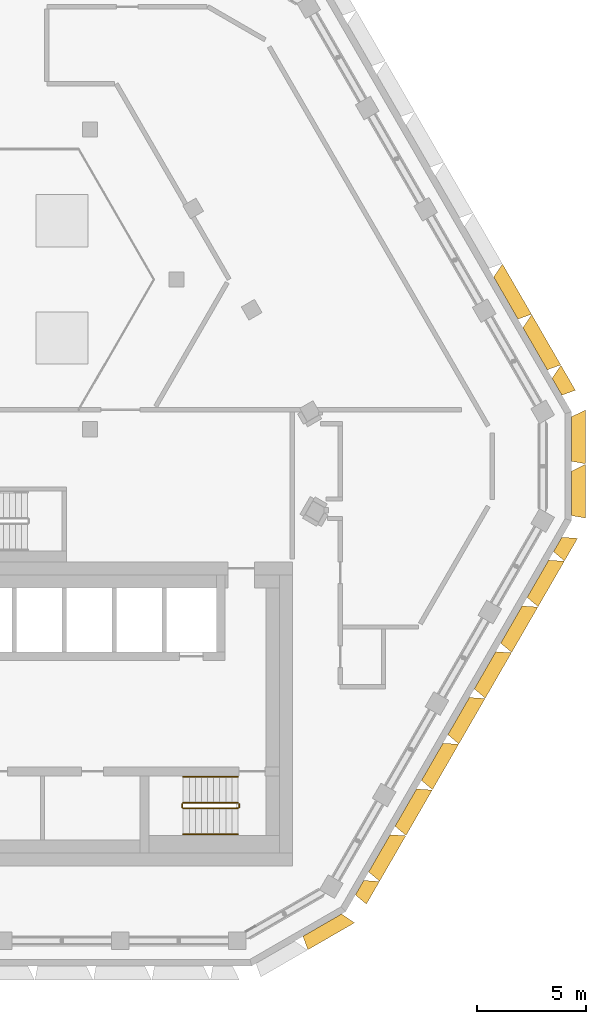
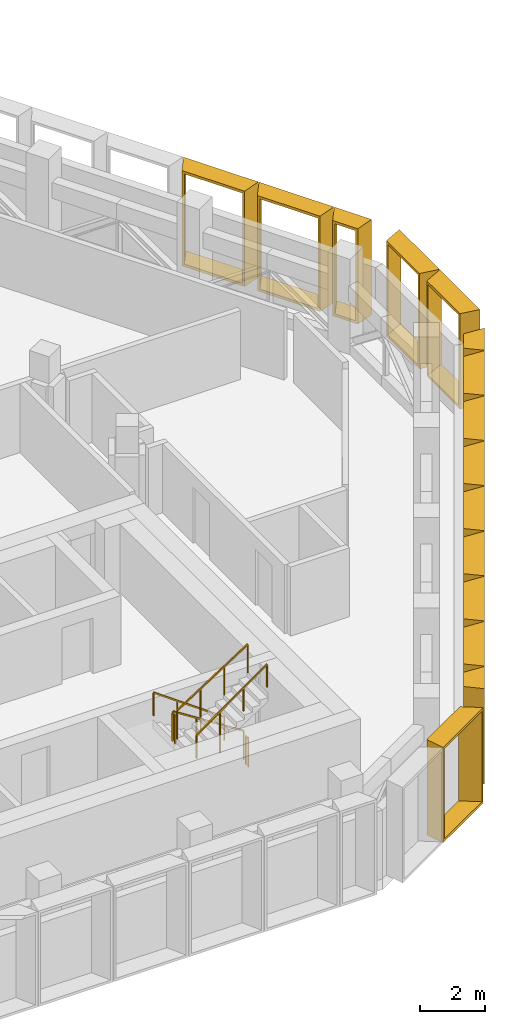
# One storey, part 23 of 24: 15 shading devices, 6 railings.
"""IFC4 building model written with IfcOpenShell, lengths in metres."""

from ifc_helpers import new_model, entity, si_unit, direction, frame, origin, origin_2d, place, context, subcontext, project, spatial, rectangle, extrude, source, transform, mapped, material, type_object, type_shapes, element, save


model = new_model("IFC4")

# Units and contexts
model_context = context("Model", 3, precision=1e-05, world=origin(), true_north=direction((0.0, 1.0)))
body_context = subcontext(model_context, "Body", "Model", "MODEL_VIEW")
ifc_project = project(units=[si_unit("LENGTHUNIT", "METRE"), si_unit("AREAUNIT", "SQUARE_METRE"), si_unit("VOLUMEUNIT", "CUBIC_METRE"), si_unit("PLANEANGLEUNIT", "RADIAN"), si_unit("MASSUNIT", "GRAM", prefix="KILO")], contexts=[model_context])

# Site, building, storey
site_placement = place(None, origin())
site = spatial("IfcSite", under=ifc_project, at=site_placement, CompositionType="ELEMENT")
building_placement = place(site_placement, origin())
building = spatial("IfcBuilding", under=site, at=building_placement, Name="Beryl Residences", CompositionType="ELEMENT")
storey_placement = place(building_placement, frame((0.0, 0.0, 199.199951171875)))
storey = spatial("IfcBuildingStorey", under=building, at=storey_placement, Name="L61", CompositionType="ELEMENT", Elevation=199.199951171875)

# Shading devices
ifc_material_1 = material(Name="Aluminium pale anodised", Category="aluminium")
shading_device_type_1 = type_object("IfcShadingDeviceType", Name="FR122-65C-H36 OUTER SKIN frame 650 mm deep, splay 10/26 deg, 1220 x 3600 mm cell", PredefinedType="USERDEFINED", material=ifc_material_1)
cartesian_point_1 = entity("IfcCartesianPoint", [-0.384033203125, 0.0])
cartesian_point_2 = entity("IfcCartesianPoint", [-0.302734375, 0.10009765625])
cartesian_point_3 = entity("IfcCartesianPoint", [-0.49853515625, 0.0])
cartesian_point_4 = entity("IfcCartesianPoint", [-0.41748046875, 0.10009765625])
shared_shape_1 = source(origin(), body_context, "Body", "SweptSolid", [
    entity("IfcExtrudedAreaSolidTapered", entity("IfcArbitraryProfileDefWithVoids", "AREA", None, entity("IfcPolyline", [cartesian_point_1, entity("IfcCartesianPoint", [0.384033203125, 0.0]), entity("IfcCartesianPoint", [0.384033203125, 3.60009765625]), entity("IfcCartesianPoint", [-0.384033203125, 3.60009765625]), cartesian_point_1]), [entity("IfcPolyline", [cartesian_point_2, entity("IfcCartesianPoint", [0.294921875, 0.10009765625]), entity("IfcCartesianPoint", [0.294921875, 3.5]), entity("IfcCartesianPoint", [-0.302734375, 3.5]), cartesian_point_2])]), entity("IfcAxis2Placement3D", entity("IfcCartesianPoint", [0.0, 0.0, 0.0]), entity("IfcDirection", [0.0, 1.0, 0.0]), entity("IfcDirection", [-1.0, 0.0, 0.0])), entity("IfcDirection", [0.0, 0.0, 1.0]), 0.64990234375, entity("IfcArbitraryProfileDefWithVoids", "AREA", None, entity("IfcPolyline", [cartesian_point_3, entity("IfcCartesianPoint", [0.700927734375, 0.0]), entity("IfcCartesianPoint", [0.700927734375, 3.60009765625]), entity("IfcCartesianPoint", [-0.49853515625, 3.60009765625]), cartesian_point_3]), [entity("IfcPolyline", [cartesian_point_4, entity("IfcCartesianPoint", [0.612060546875, 0.10009765625]), entity("IfcCartesianPoint", [0.612060546875, 3.5]), entity("IfcCartesianPoint", [-0.41748046875, 3.5]), cartesian_point_4])])),
])
type_shapes(shading_device_type_1, [shared_shape_1])
for number, where, z_axis, x_axis, name in (
    (1, (16.39697265625, -19.9990234375, 0.0), (0.0, 0.0, 1.0), (-0.5, -0.866025403784, 0.0), "FR122-65C-H36 frame L61 SE 1"),
    (2, (25.51611328125, -4.202880859375, 0.0), (0.0, 0.0, 1.0), (-0.5, -0.866025403784, 0.0), "FR122-65C-H36 frame L61 SE 9"),
):
    element("IfcShadingDevice", number, at=place(storey_placement, frame(where, z_axis=z_axis, x_axis=x_axis)), inside=storey, type_object=shading_device_type_1, Name=name, ObjectType="OUTER SKIN", PredefinedType="USERDEFINED", context=body_context, shape_type="MappedRepresentation", body=[
        mapped(shared_shape_1, transform((0.0, 0.0, 0.0))),
    ])
ifc_material_2 = material(Name="Aluminium pale anodised", Category="aluminium")
shading_device_type_2 = type_object("IfcShadingDeviceType", Name="FR135-65C-H36 OUTER SKIN frame 650 mm deep, splay 10/26 deg, 1350 x 3600 mm cell", PredefinedType="USERDEFINED", material=ifc_material_2)
cartesian_point_5 = entity("IfcCartesianPoint", [-0.448974609375, 0.0])
cartesian_point_6 = entity("IfcCartesianPoint", [-0.36767578125, 0.10009765625])
cartesian_point_7 = entity("IfcCartesianPoint", [-0.563720703125, 0.0])
cartesian_point_8 = entity("IfcCartesianPoint", [-0.482421875, 0.10009765625])
shared_shape_2 = source(origin(), body_context, "Body", "SweptSolid", [
    entity("IfcExtrudedAreaSolidTapered", entity("IfcArbitraryProfileDefWithVoids", "AREA", None, entity("IfcPolyline", [cartesian_point_5, entity("IfcCartesianPoint", [0.448974609375, 0.0]), entity("IfcCartesianPoint", [0.448974609375, 3.60009765625]), entity("IfcCartesianPoint", [-0.448974609375, 3.60009765625]), cartesian_point_5]), [entity("IfcPolyline", [cartesian_point_6, entity("IfcCartesianPoint", [0.360107421875, 0.10009765625]), entity("IfcCartesianPoint", [0.360107421875, 3.5]), entity("IfcCartesianPoint", [-0.36767578125, 3.5]), cartesian_point_6])]), entity("IfcAxis2Placement3D", entity("IfcCartesianPoint", [0.0, 0.0, 0.0]), entity("IfcDirection", [0.0, 1.0, 0.0]), entity("IfcDirection", [-1.0, 0.0, 0.0])), entity("IfcDirection", [0.0, 0.0, 1.0]), 0.64990234375, entity("IfcArbitraryProfileDefWithVoids", "AREA", None, entity("IfcPolyline", [cartesian_point_7, entity("IfcCartesianPoint", [0.76611328125, 0.0]), entity("IfcCartesianPoint", [0.76611328125, 3.60009765625]), entity("IfcCartesianPoint", [-0.563720703125, 3.60009765625]), cartesian_point_7]), [entity("IfcPolyline", [cartesian_point_8, entity("IfcCartesianPoint", [0.677001953125, 0.10009765625]), entity("IfcCartesianPoint", [0.677001953125, 3.5]), entity("IfcCartesianPoint", [-0.482421875, 3.5]), cartesian_point_8])])),
])
type_shapes(shading_device_type_2, [shared_shape_2])
shading_device_placement = place(storey_placement, frame((25.485107421875, 3.056884765625, 0.0), z_axis=(0.0, 0.0, 1.0), x_axis=(0.5, -0.866025403784, 0.0)))
element("IfcShadingDevice", 3, at=shading_device_placement, inside=storey, type_object=shading_device_type_2, Name="FR135-65C-H36 frame L61 NE 1", ObjectType="OUTER SKIN", PredefinedType="USERDEFINED", context=body_context, shape_type="MappedRepresentation", body=[
    mapped(shared_shape_2, transform((0.0, 0.0, 0.0))),
])
ifc_material_3 = material(Name="Aluminium pale anodised", Category="aluminium")
shading_device_type_3 = type_object("IfcShadingDeviceType", Name="FR243-65C-H36 OUTER SKIN frame 650 mm deep, splay 10/26 deg, 2430 x 3600 mm cell", PredefinedType="USERDEFINED", material=ifc_material_3)
cartesian_point_9 = entity("IfcCartesianPoint", [-0.989013671875, 0.0])
cartesian_point_10 = entity("IfcCartesianPoint", [-0.90771484375, 0.10009765625])
cartesian_point_11 = entity("IfcCartesianPoint", [-1.103515625, 0.0])
cartesian_point_12 = entity("IfcCartesianPoint", [-1.0224609375, 0.10009765625])
shared_shape_3 = source(origin(), body_context, "Body", "SweptSolid", [
    entity("IfcExtrudedAreaSolidTapered", entity("IfcArbitraryProfileDefWithVoids", "AREA", None, entity("IfcPolyline", [cartesian_point_9, entity("IfcCartesianPoint", [0.989013671875, 0.0]), entity("IfcCartesianPoint", [0.989013671875, 3.60009765625]), entity("IfcCartesianPoint", [-0.989013671875, 3.60009765625]), cartesian_point_9]), [entity("IfcPolyline", [cartesian_point_10, entity("IfcCartesianPoint", [0.89990234375, 0.10009765625]), entity("IfcCartesianPoint", [0.89990234375, 3.5]), entity("IfcCartesianPoint", [-0.90771484375, 3.5]), cartesian_point_10])]), entity("IfcAxis2Placement3D", entity("IfcCartesianPoint", [0.0, 0.0, 0.0]), entity("IfcDirection", [0.0, 1.0, 0.0]), entity("IfcDirection", [-1.0, 0.0, 0.0])), entity("IfcDirection", [0.0, 0.0, 1.0]), 0.64990234375, entity("IfcArbitraryProfileDefWithVoids", "AREA", None, entity("IfcPolyline", [cartesian_point_11, entity("IfcCartesianPoint", [1.305908203125, 0.0]), entity("IfcCartesianPoint", [1.305908203125, 3.60009765625]), entity("IfcCartesianPoint", [-1.103515625, 3.60009765625]), cartesian_point_11]), [entity("IfcPolyline", [cartesian_point_12, entity("IfcCartesianPoint", [1.217041015625, 0.10009765625]), entity("IfcCartesianPoint", [1.217041015625, 3.5]), entity("IfcCartesianPoint", [-1.0224609375, 3.5]), cartesian_point_12])])),
])
type_shapes(shading_device_type_3, [shared_shape_3])
for number, where, z_axis, x_axis, name in (
    (4, (17.30908203125, -18.4189453125, 0.0), (0.0, 0.0, 1.0), (-0.5, -0.866025403784, 0.0), "FR243-65C-H36 frame L61 SE 2"),
    (5, (18.52490234375, -16.31298828125, 0.0), (0.0, 0.0, 1.0), (-0.5, -0.866025403784, 0.0), "FR243-65C-H36 frame L61 SE 3"),
    (6, (19.740966796875, -14.20703125, 0.0), (0.0, 0.0, 1.0), (-0.5, -0.866025403784, 0.0), "FR243-65C-H36 frame L61 SE 4"),
    (7, (20.95703125, -12.10107421875, 0.0), (0.0, 0.0, 1.0), (-0.5, -0.866025403784, 0.0), "FR243-65C-H36 frame L61 SE 5"),
    (8, (22.172119140625, -9.9951171875, 0.0), (0.0, 0.0, 1.0), (-0.5, -0.866025403784, 0.0), "FR243-65C-H36 frame L61 SE 6"),
    (9, (23.387939453125, -7.888916015625, 0.0), (0.0, 0.0, 1.0), (-0.5, -0.866025403784, 0.0), "FR243-65C-H36 frame L61 SE 7"),
    (10, (24.60400390625, -5.781982421875, 0.0), (0.0, 0.0, 1.0), (-0.5, -0.866025403784, 0.0), "FR243-65C-H36 frame L61 SE 8"),
):
    element("IfcShadingDevice", number, at=place(storey_placement, frame(where, z_axis=z_axis, x_axis=x_axis)), inside=storey, type_object=shading_device_type_3, Name=name, ObjectType="OUTER SKIN", PredefinedType="USERDEFINED", context=body_context, shape_type="MappedRepresentation", body=[
        mapped(shared_shape_3, transform((0.0, 0.0, 0.0))),
    ])
ifc_material_4 = material(Name="Aluminium pale anodised", Category="aluminium")
shading_device_type_4 = type_object("IfcShadingDeviceType", Name="FR250-65C-H36 OUTER SKIN frame 650 mm deep, splay 10/26 deg, 2500 x 3600 mm cell", PredefinedType="USERDEFINED", material=ifc_material_4)
cartesian_point_13 = entity("IfcCartesianPoint", [-1.02392578125, 0.0])
cartesian_point_14 = entity("IfcCartesianPoint", [-0.94287109375, 0.10009765625])
cartesian_point_15 = entity("IfcCartesianPoint", [-1.138671875, 0.0])
cartesian_point_16 = entity("IfcCartesianPoint", [-1.057373046875, 0.10009765625])
shared_shape_4 = source(origin(), body_context, "Body", "SweptSolid", [
    entity("IfcExtrudedAreaSolidTapered", entity("IfcArbitraryProfileDefWithVoids", "AREA", None, entity("IfcPolyline", [cartesian_point_13, entity("IfcCartesianPoint", [1.02392578125, 0.0]), entity("IfcCartesianPoint", [1.02392578125, 3.60009765625]), entity("IfcCartesianPoint", [-1.02392578125, 3.60009765625]), cartesian_point_13]), [entity("IfcPolyline", [cartesian_point_14, entity("IfcCartesianPoint", [0.93505859375, 0.10009765625]), entity("IfcCartesianPoint", [0.93505859375, 3.5]), entity("IfcCartesianPoint", [-0.94287109375, 3.5]), cartesian_point_14])]), entity("IfcAxis2Placement3D", entity("IfcCartesianPoint", [0.0, 0.0, 0.0]), entity("IfcDirection", [0.0, 1.0, 0.0]), entity("IfcDirection", [-1.0, 0.0, 0.0])), entity("IfcDirection", [0.0, 0.0, 1.0]), 0.64990234375, entity("IfcArbitraryProfileDefWithVoids", "AREA", None, entity("IfcPolyline", [cartesian_point_15, entity("IfcCartesianPoint", [1.341064453125, 0.0]), entity("IfcCartesianPoint", [1.341064453125, 3.60009765625]), entity("IfcCartesianPoint", [-1.138671875, 3.60009765625]), cartesian_point_15]), [entity("IfcPolyline", [cartesian_point_16, entity("IfcCartesianPoint", [1.251953125, 0.10009765625]), entity("IfcCartesianPoint", [1.251953125, 3.5]), entity("IfcCartesianPoint", [-1.057373046875, 3.5]), cartesian_point_16])])),
])
type_shapes(shading_device_type_4, [shared_shape_4])
for number, where, z_axis, x_axis, name in (
    (11, (14.677978515625, -21.72509765625, 0.0), (0.0, 0.0, 1.0), (-0.866025403784, -0.5, 0.0), "FR250-65C-H36 frame L61 S-SE 2"),
    (12, (26.154052734375, -1.85009765625, 0.0), (0.0, 0.0, 1.0), (0.0, -1.0, 0.0), "FR250-65C-H36 frame L61 SE-NE 1"),
    (13, (26.154052734375, 0.64990234375, 0.0), (0.0, 0.0, 1.0), (0.0, -1.0, 0.0), "FR250-65C-H36 frame L61 SE-NE 2"),
):
    element("IfcShadingDevice", number, at=place(storey_placement, frame(where, z_axis=z_axis, x_axis=x_axis)), inside=storey, type_object=shading_device_type_4, Name=name, ObjectType="OUTER SKIN", PredefinedType="USERDEFINED", context=body_context, shape_type="MappedRepresentation", body=[
        mapped(shared_shape_4, transform((0.0, 0.0, 0.0))),
    ])
ifc_material_5 = material(Name="Aluminium pale anodised", Category="aluminium")
shading_device_type_5 = type_object("IfcShadingDeviceType", Name="FR269-65C-H36 OUTER SKIN frame 650 mm deep, splay 10/26 deg, 2690 x 3600 mm cell", PredefinedType="USERDEFINED", material=ifc_material_5)
cartesian_point_17 = entity("IfcCartesianPoint", [-1.118896484375, 0.0])
cartesian_point_18 = entity("IfcCartesianPoint", [-1.037841796875, 0.10009765625])
cartesian_point_19 = entity("IfcCartesianPoint", [-1.233642578125, 0.0])
cartesian_point_20 = entity("IfcCartesianPoint", [-1.15234375, 0.10009765625])
shared_shape_5 = source(origin(), body_context, "Body", "SweptSolid", [
    entity("IfcExtrudedAreaSolidTapered", entity("IfcArbitraryProfileDefWithVoids", "AREA", None, entity("IfcPolyline", [cartesian_point_17, entity("IfcCartesianPoint", [1.118896484375, 0.0]), entity("IfcCartesianPoint", [1.118896484375, 3.60009765625]), entity("IfcCartesianPoint", [-1.118896484375, 3.60009765625]), cartesian_point_17]), [entity("IfcPolyline", [cartesian_point_18, entity("IfcCartesianPoint", [1.030029296875, 0.10009765625]), entity("IfcCartesianPoint", [1.030029296875, 3.5]), entity("IfcCartesianPoint", [-1.037841796875, 3.5]), cartesian_point_18])]), entity("IfcAxis2Placement3D", entity("IfcCartesianPoint", [0.0, 0.0, 0.0]), entity("IfcDirection", [0.0, 1.0, 0.0]), entity("IfcDirection", [-1.0, 0.0, 0.0])), entity("IfcDirection", [0.0, 0.0, 1.0]), 0.64990234375, entity("IfcArbitraryProfileDefWithVoids", "AREA", None, entity("IfcPolyline", [cartesian_point_19, entity("IfcCartesianPoint", [1.43603515625, 0.0]), entity("IfcCartesianPoint", [1.43603515625, 3.60009765625]), entity("IfcCartesianPoint", [-1.233642578125, 3.60009765625]), cartesian_point_19]), [entity("IfcPolyline", [cartesian_point_20, entity("IfcCartesianPoint", [1.346923828125, 0.10009765625]), entity("IfcCartesianPoint", [1.346923828125, 3.5]), entity("IfcCartesianPoint", [-1.15234375, 3.5]), cartesian_point_20])])),
])
type_shapes(shading_device_type_5, [shared_shape_5])
for number, where, z_axis, x_axis, name in (
    (14, (24.47607421875, 4.805908203125, 0.0), (0.0, 0.0, 1.0), (0.5, -0.866025403784, 0.0), "FR269-65C-H36 frame L61 NE 2"),
    (15, (23.1298828125, 7.136962890625, 0.0), (0.0, 0.0, 1.0), (0.5, -0.866025403784, 0.0), "FR269-65C-H36 frame L61 NE 3"),
):
    element("IfcShadingDevice", number, at=place(storey_placement, frame(where, z_axis=z_axis, x_axis=x_axis)), inside=storey, type_object=shading_device_type_5, Name=name, ObjectType="OUTER SKIN", PredefinedType="USERDEFINED", context=body_context, shape_type="MappedRepresentation", body=[
        mapped(shared_shape_5, transform((0.0, 0.0, 0.0))),
    ])

# Railings
ifc_material_6 = material(Name="Stainless steel balustrade with glass infill", Category="steel")
railing_type_1 = type_object("IfcRailingType", Name="SG1 stair guard 1100 mm", PredefinedType="GUARDRAIL", material=ifc_material_6)
railing_1_placement = place(storey_placement, frame((10.800048828125, -16.10009765625, 0.179931640625)))
element("IfcRailing", 16, at=railing_1_placement, inside=storey, type_object=railing_type_1, Name="L61 ST-3 stair guard 1", PredefinedType="GUARDRAIL", context=body_context, shape_type="SweptSolid", body=[
    extrude(rectangle(XDim=0.048095703125, YDim=0.048095703125, at=origin_2d()), frame((0.0, 0.0, 1.076171875), z_axis=(-0.841162588446, 0.0, 0.540782303519), x_axis=(0.0, -1.0, 0.0)), (0.0, 0.0, 1.0), 2.995849609375),
    extrude(rectangle(XDim=0.0419921875, YDim=0.0419921875, at=origin_2d()), origin(), (0.0, 0.0, 1.0), 1.052001953125),
    extrude(rectangle(XDim=0.0419921875, YDim=0.0419921875, at=origin_2d()), frame((-0.840087890625, 0.0, 0.5400390625)), (0.0, 0.0, 1.0), 1.052001953125),
    extrude(rectangle(XDim=0.0419921875, YDim=0.0419921875, at=origin_2d()), frame((-1.679931640625, 0.0, 1.080078125)), (0.0, 0.0, 1.0), 1.052001953125),
    extrude(rectangle(XDim=0.0419921875, YDim=0.0419921875, at=origin_2d()), frame((-2.52001953125, 0.0, 1.6201171875)), (0.0, 0.0, 1.0), 1.052001953125),
])
railing_2_placement = place(storey_placement, frame((8.22998046875, -16.14990234375, 1.800048828125)))
element("IfcRailing", 17, at=railing_2_placement, inside=storey, type_object=railing_type_1, Name="L61 ST-3 stair guard 2", PredefinedType="GUARDRAIL", context=body_context, shape_type="SweptSolid", body=[
    extrude(rectangle(XDim=0.048095703125, YDim=0.048095703125, at=origin_2d()), frame((0.0, 0.0, 1.076171875), z_axis=(0.0, -1.0, 0.0), x_axis=(1.0, 0.0, 0.0)), (0.0, 0.0, 1.0), 0.150146484375),
    extrude(rectangle(XDim=0.0419921875, YDim=0.0419921875, at=origin_2d()), origin(), (0.0, 0.0, 1.0), 1.052001953125),
    extrude(rectangle(XDim=0.0419921875, YDim=0.0419921875, at=origin_2d()), frame((0.0, -0.150146484375, 0.0)), (0.0, 0.0, 1.0), 1.052001953125),
])
railing_3_placement = place(storey_placement, frame((8.280029296875, -16.35009765625, 1.97998046875)))
element("IfcRailing", 18, at=railing_3_placement, inside=storey, type_object=railing_type_1, Name="L61 ST-3 stair guard 3", PredefinedType="GUARDRAIL", context=body_context, shape_type="SweptSolid", body=[
    extrude(rectangle(XDim=0.048095703125, YDim=0.048095703125, at=origin_2d()), frame((0.0, 0.0, 1.076171875), z_axis=(0.841162588446, 0.0, 0.540782303519), x_axis=(0.0, 1.0, 0.0)), (0.0, 0.0, 1.0), 2.995849609375),
    extrude(rectangle(XDim=0.0419921875, YDim=0.0419921875, at=origin_2d()), origin(), (0.0, 0.0, 1.0), 1.052001953125),
    extrude(rectangle(XDim=0.0419921875, YDim=0.0419921875, at=origin_2d()), frame((0.840087890625, 0.0, 0.5400390625)), (0.0, 0.0, 1.0), 1.052001953125),
    extrude(rectangle(XDim=0.0419921875, YDim=0.0419921875, at=origin_2d()), frame((1.679931640625, 0.0, 1.080078125)), (0.0, 0.0, 1.0), 1.052001953125),
    extrude(rectangle(XDim=0.0419921875, YDim=0.0419921875, at=origin_2d()), frame((2.52001953125, 0.0, 1.6201171875)), (0.0, 0.0, 1.0), 1.052001953125),
])
railing_4_placement = place(storey_placement, frame((10.85009765625, -16.14990234375, 0.0)))
element("IfcRailing", 19, at=railing_4_placement, inside=storey, type_object=railing_type_1, Name="L61 ST-3 stair guard 4", PredefinedType="GUARDRAIL", context=body_context, shape_type="SweptSolid", body=[
    extrude(rectangle(XDim=0.048095703125, YDim=0.048095703125, at=origin_2d()), frame((0.0, 0.0, 1.076171875), z_axis=(0.0, -1.0, 0.0), x_axis=(1.0, 0.0, 0.0)), (0.0, 0.0, 1.0), 0.150146484375),
    extrude(rectangle(XDim=0.0419921875, YDim=0.0419921875, at=origin_2d()), origin(), (0.0, 0.0, 1.0), 1.052001953125),
    extrude(rectangle(XDim=0.0419921875, YDim=0.0419921875, at=origin_2d()), frame((0.0, -0.150146484375, 0.0)), (0.0, 0.0, 1.0), 1.052001953125),
])
ifc_material_7 = material(Name="Stainless steel handrail", Category="steel")
railing_type_2 = type_object("IfcRailingType", Name="SRL1 stair handrail 900 mm", PredefinedType="HANDRAIL", material=ifc_material_7)
railing_5_placement = place(storey_placement, frame((10.800048828125, -14.89990234375, 0.179931640625)))
element("IfcRailing", 20, at=railing_5_placement, inside=storey, type_object=railing_type_2, Name="L61 ST-3 stair handrail 1", PredefinedType="HANDRAIL", context=body_context, shape_type="SweptSolid", body=[
    extrude(rectangle(XDim=0.048095703125, YDim=0.048095703125, at=origin_2d()), frame((0.0, 0.0, 0.8759765625), z_axis=(-0.813728144527, 0.0, 0.581245650998), x_axis=(0.0, -1.0, 0.0)), (0.0, 0.0, 1.0), 3.096923828125),
    extrude(rectangle(XDim=0.0419921875, YDim=0.0419921875, at=origin_2d()), origin(), (0.0, 0.0, 1.0), 0.851806640625),
    extrude(rectangle(XDim=0.0419921875, YDim=0.0419921875, at=origin_2d()), frame((-0.840087890625, 0.0, 0.60009765625)), (0.0, 0.0, 1.0), 0.851806640625),
    extrude(rectangle(XDim=0.0419921875, YDim=0.0419921875, at=origin_2d()), frame((-1.679931640625, 0.0, 1.199951171875)), (0.0, 0.0, 1.0), 0.851806640625),
    extrude(rectangle(XDim=0.0419921875, YDim=0.0419921875, at=origin_2d()), frame((-2.52001953125, 0.0, 1.800048828125)), (0.0, 0.0, 1.0), 0.851806640625),
])
railing_6_placement = place(storey_placement, frame((8.280029296875, -17.550048828125, 1.97998046875)))
element("IfcRailing", 21, at=railing_6_placement, inside=storey, type_object=railing_type_2, Name="L61 ST-3 stair handrail 2", PredefinedType="HANDRAIL", context=body_context, shape_type="SweptSolid", body=[
    extrude(rectangle(XDim=0.048095703125, YDim=0.048095703125, at=origin_2d()), frame((0.0, 0.0, 0.8759765625), z_axis=(0.813728144527, 0.0, 0.581245650998), x_axis=(0.0, 1.0, 0.0)), (0.0, 0.0, 1.0), 3.096923828125),
    extrude(rectangle(XDim=0.0419921875, YDim=0.0419921875, at=origin_2d()), origin(), (0.0, 0.0, 1.0), 0.851806640625),
    extrude(rectangle(XDim=0.0419921875, YDim=0.0419921875, at=origin_2d()), frame((0.840087890625, 0.0, 0.60009765625)), (0.0, 0.0, 1.0), 0.851806640625),
    extrude(rectangle(XDim=0.0419921875, YDim=0.0419921875, at=origin_2d()), frame((1.679931640625, 0.0, 1.199951171875)), (0.0, 0.0, 1.0), 0.851806640625),
    extrude(rectangle(XDim=0.0419921875, YDim=0.0419921875, at=origin_2d()), frame((2.52001953125, 0.0, 1.800048828125)), (0.0, 0.0, 1.0), 0.851806640625),
])

save(model, "model.ifc")
